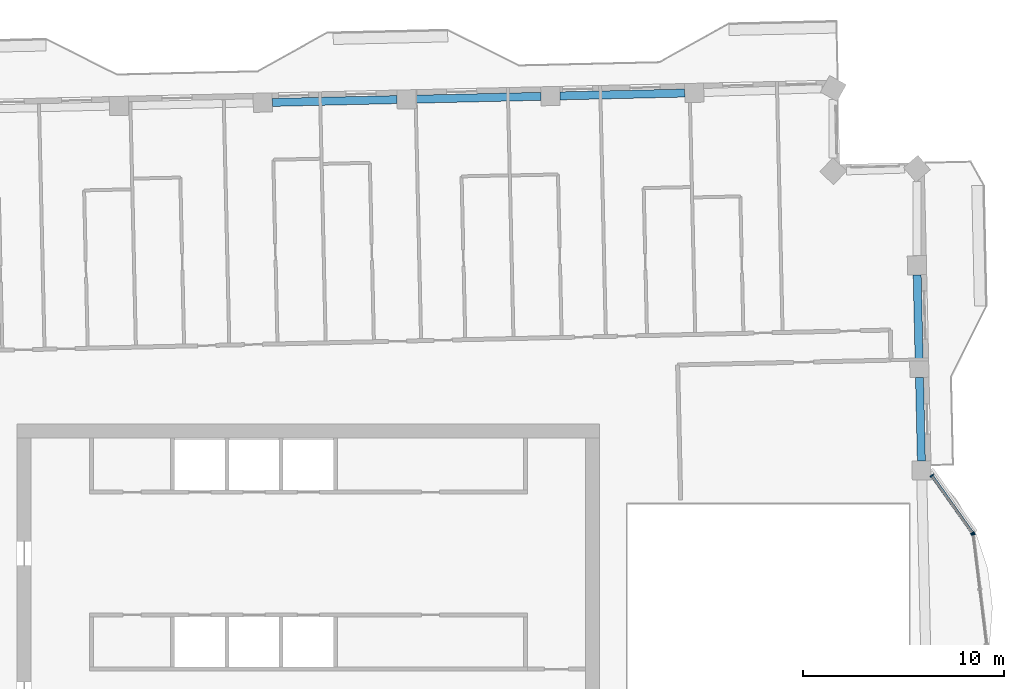
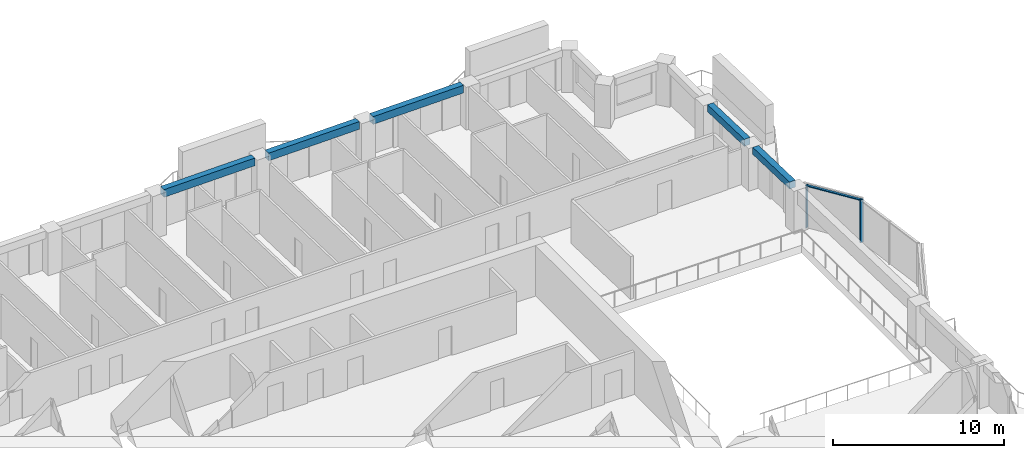
# One storey, part 4 of 20: 5 beams, 4 members, 2 elements without a shape of their own.
"""IFC4 building model written with IfcOpenShell, lengths in metres."""

from ifc_helpers import new_model, si_unit, direction, frame, origin, origin_2d, place, context, subcontext, project, spatial, rectangle, extrude, material, material_profile, profile_set, type_object, element, aggregate, save


model = new_model("IFC4")

# Units and contexts
model_context = context("Model", 3, precision=1e-05, world=origin(), true_north=direction((0.0, 1.0)))
body_context = subcontext(model_context, "Body", "Model", "MODEL_VIEW")
ifc_project = project(units=[si_unit("LENGTHUNIT", "METRE"), si_unit("AREAUNIT", "SQUARE_METRE"), si_unit("VOLUMEUNIT", "CUBIC_METRE"), si_unit("PLANEANGLEUNIT", "RADIAN"), si_unit("MASSUNIT", "GRAM", prefix="KILO")], contexts=[model_context])

# Site, building, storey
site_placement = place(None, origin())
site = spatial("IfcSite", under=ifc_project, at=site_placement, CompositionType="ELEMENT")
building_placement = place(site_placement, origin())
building = spatial("IfcBuilding", under=site, at=building_placement, Name="Mangrove Gate Tower", CompositionType="ELEMENT")
storey_placement = place(building_placement, frame((0.0, 0.0, 279.89990234375)))
storey = spatial("IfcBuildingStorey", under=building, at=storey_placement, Name="L71", CompositionType="ELEMENT", Elevation=279.89990234375)

# Curtain wall, member
ifc_material_1 = material(Name="Aluminium and glass curtain wall", Category="aluminium")
curtain_wall_type = type_object("IfcCurtainWallType", Name="Atrium garden-court glazing wall", PredefinedType="NOTDEFINED", material=ifc_material_1)
curtain_wall_1_placement = place(storey_placement, origin())
curtain_wall_1 = element("IfcCurtainWall", 1, at=curtain_wall_1_placement, inside=storey, type_object=curtain_wall_type, Name="Atrium garden-court glazing E1f2", PredefinedType="NOTDEFINED")
ifc_material_2 = material(Name="Aluminium alloy 6063-T6", Category="aluminium")
ifc_material_profile_1 = material_profile(ifc_material_2, rectangle(XDim=0.070068359375, YDim=0.199951171875, at=origin_2d()))
ifc_profile_set_1 = profile_set([ifc_material_profile_1], Name="Aluminium alloy 6063-T6")
member_type_1 = type_object("IfcMemberType", Name="Atrium garden-court glazing mullion 70x200", PredefinedType="MULLION", material=ifc_profile_set_1)
member_1_placement = place(storey_placement, frame((33.087158203125, 6.0029296875, 0.0), z_axis=(0.0, 0.0, 1.0), x_axis=(-0.122172285885, 0.992508908051, 0.0)))
member_1 = element("IfcMember", 2, at=member_1_placement, type_object=member_type_1, Name="CWA mullion 3", PredefinedType="MULLION", context=body_context, shape_type="SweptSolid", body=[
    extrude(rectangle(XDim=0.070068359375, YDim=0.199951171875, at=origin_2d()), origin(), (0.0, 0.0, 1.0), 3.050048828125),
])
aggregate(curtain_wall_1, [member_1])

# Curtain wall, members
curtain_wall_2_placement = place(storey_placement, origin())
curtain_wall_2 = element("IfcCurtainWall", 3, at=curtain_wall_2_placement, inside=storey, type_object=curtain_wall_type, Name="Atrium garden-court glazing E1f3", PredefinedType="NOTDEFINED")
member_2_placement = place(storey_placement, frame((33.062744140625, 6.06640625, 0.0), z_axis=(0.0, 0.0, 1.0), x_axis=(-0.578135022674, 0.815941110349, 0.0)))
member_2 = element("IfcMember", 4, at=member_2_placement, type_object=member_type_1, Name="CWA mullion 1", PredefinedType="MULLION", context=body_context, shape_type="SweptSolid", body=[
    extrude(rectangle(XDim=0.070068359375, YDim=0.199951171875, at=origin_2d()), origin(), (0.0, 0.0, 1.0), 3.050048828125),
])
member_3_placement = place(storey_placement, frame((31.039794921875, 8.92138671875, 0.0), z_axis=(0.0, 0.0, 1.0), x_axis=(-0.578135022674, 0.815941110349, 0.0)))
member_3 = element("IfcMember", 5, at=member_3_placement, type_object=member_type_1, Name="CWA mullion 2", PredefinedType="MULLION", context=body_context, shape_type="SweptSolid", body=[
    extrude(rectangle(XDim=0.070068359375, YDim=0.199951171875, at=origin_2d()), origin(), (0.0, 0.0, 1.0), 3.050048828125),
])
ifc_material_3 = material(Name="Aluminium alloy 6063-T6", Category="aluminium")
ifc_material_profile_2 = material_profile(ifc_material_3, rectangle(XDim=0.070068359375, YDim=0.14990234375, at=origin_2d()))
ifc_profile_set_2 = profile_set([ifc_material_profile_2], Name="Aluminium alloy 6063-T6")
member_type_2 = type_object("IfcMemberType", Name="Atrium garden-court glazing transom 70x150", PredefinedType="USERDEFINED", material=ifc_profile_set_2)
member_4_placement = place(storey_placement, frame((33.04248046875, 6.094970703125, 3.01513671875), z_axis=(-0.578135862494, 0.815940515294, 0.0), x_axis=(0.0, 0.0, 1.0)))
member_4 = element("IfcMember", 6, at=member_4_placement, type_object=member_type_2, Name="CWA transom 1.2", ObjectType="TRANSOM", PredefinedType="USERDEFINED", context=body_context, shape_type="SweptSolid", body=[
    extrude(rectangle(XDim=0.070068359375, YDim=0.14990234375, at=origin_2d()), origin(), (0.0, 0.0, 1.0), 3.428955078125),
])
aggregate(curtain_wall_2, [member_2, member_3, member_4])

# Beams
ifc_material_4 = material(Name="Concrete C50/60", Category="concrete")
ifc_material_profile_3 = material_profile(ifc_material_4, rectangle(XDim=0.39990234375, YDim=0.5, at=origin_2d()))
ifc_profile_set_3 = profile_set([ifc_material_profile_3], Name="Concrete C50/60")
beam_type_1 = type_object("IfcBeamType", Name="Edge beam RC 400x500 C50/60", PredefinedType="BEAM", material=ifc_profile_set_3)
for number, where, z_axis, x_axis, name in (
    (7, (30.518310546875, 9.658203125, 2.800048828125), (-0.022486678156, 0.999747142684, 0.0), (-0.999747142684, -0.022486678156, 0.0), "Edge beam L71 17"),
    (8, (30.4033203125, 14.76513671875, 2.800048828125), (-0.022721405353, 0.999741835545, 0.0), (-0.999741835545, -0.022721405353, 0.0), "Edge beam L71 18"),
):
    element("IfcBeam", number, at=place(storey_placement, frame(where, z_axis=z_axis, x_axis=x_axis)), inside=storey, type_object=beam_type_1, Name=name, PredefinedType="BEAM", context=body_context, shape_type="SweptSolid", body=[
        extrude(rectangle(XDim=0.39990234375, YDim=0.5, at=origin_2d()), origin(), (0.0, 0.0, 1.0), 4.158203125),
    ])
ifc_material_5 = material(Name="Concrete C50/60", Category="concrete")
ifc_material_profile_4 = material_profile(ifc_material_5, rectangle(XDim=0.39990234375, YDim=0.550048828125, at=origin_2d()))
ifc_profile_set_4 = profile_set([ifc_material_profile_4], Name="Concrete C50/60")
beam_type_2 = type_object("IfcBeamType", Name="Edge beam RC 400x550 C50/60", PredefinedType="BEAM", material=ifc_profile_set_4)
beam_1_placement = place(storey_placement, frame((18.73779296875, 27.970458984375, 2.775146484375), z_axis=(-0.999743719116, -0.022638376468, 0.0), x_axis=(0.022638376468, -0.999743719116, 0.0)))
element("IfcBeam", 9, at=beam_1_placement, inside=storey, type_object=beam_type_2, Name="Edge beam L71 23", PredefinedType="BEAM", context=body_context, shape_type="SweptSolid", body=[
    extrude(rectangle(XDim=0.39990234375, YDim=0.550048828125, at=origin_2d()), origin(), (0.0, 0.0, 1.0), 6.2119140625),
])
beam_2_placement = place(storey_placement, frame((11.577880859375, 27.808349609375, 2.775146484375), z_axis=(-0.999741125002, -0.022752647749, 0.0), x_axis=(0.022752647749, -0.999741125002, 0.0)))
element("IfcBeam", 10, at=beam_2_placement, inside=storey, type_object=beam_type_2, Name="Edge beam L71 24", PredefinedType="BEAM", context=body_context, shape_type="SweptSolid", body=[
    extrude(rectangle(XDim=0.39990234375, YDim=0.550048828125, at=origin_2d()), origin(), (0.0, 0.0, 1.0), 6.212890625),
])
beam_3_placement = place(storey_placement, frame((4.4169921875, 27.645263671875, 2.775146484375), z_axis=(-0.999744627938, -0.022598205876, 0.0), x_axis=(0.022598205876, -0.999744627938, 0.0)))
element("IfcBeam", 11, at=beam_3_placement, inside=storey, type_object=beam_type_2, Name="Edge beam L71 25", PredefinedType="BEAM", context=body_context, shape_type="SweptSolid", body=[
    extrude(rectangle(XDim=0.39990234375, YDim=0.550048828125, at=origin_2d()), origin(), (0.0, 0.0, 1.0), 6.2119140625),
])

save(model, "model.ifc")
